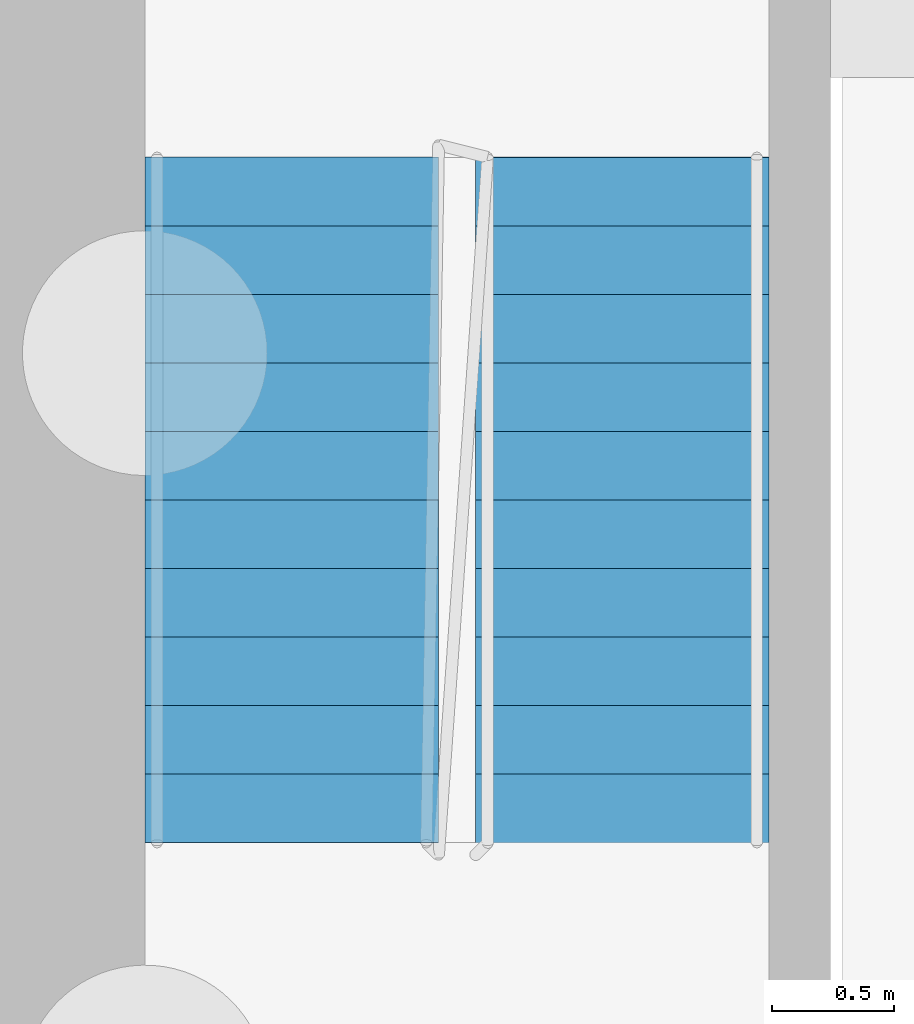
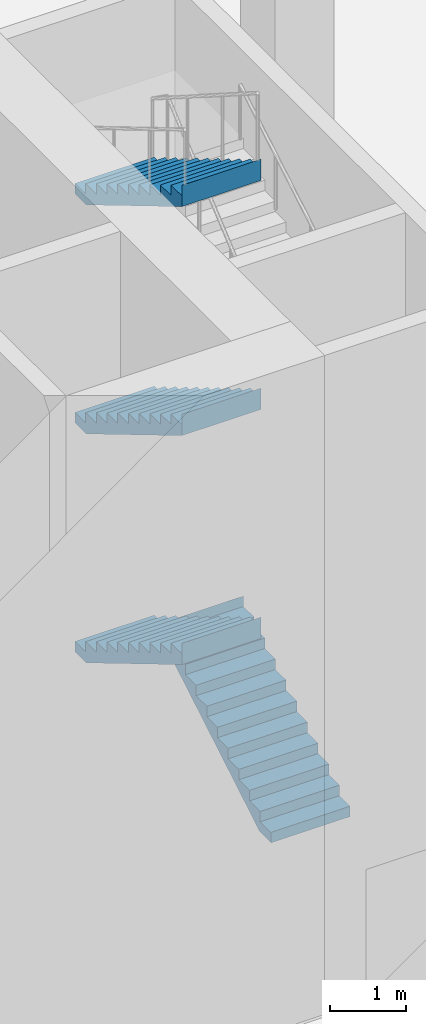
# One storey, part 16 of 26: 4 stair flights, 1 element without a shape of its own.
"""IFC4 building model written with IfcOpenShell, lengths in metres."""

from ifc_helpers import new_model, si_unit, direction, frame, origin, place, context, subcontext, project, spatial, faceted_brep, material, type_object, element, aggregate, save


model = new_model("IFC4")

# Units and contexts
model_context = context("Model", 3, precision=1e-05, world=origin(), true_north=direction((0.0, 1.0)))
body_context = subcontext(model_context, "Body", "Model", "MODEL_VIEW")
ifc_project = project(units=[si_unit("LENGTHUNIT", "METRE"), si_unit("AREAUNIT", "SQUARE_METRE"), si_unit("VOLUMEUNIT", "CUBIC_METRE"), si_unit("PLANEANGLEUNIT", "RADIAN"), si_unit("MASSUNIT", "GRAM", prefix="KILO")], contexts=[model_context])

# Site, building, storey
site_placement = place(None, origin())
site = spatial("IfcSite", under=ifc_project, at=site_placement, CompositionType="ELEMENT")
building_placement = place(site_placement, origin())
building = spatial("IfcBuilding", under=site, at=building_placement, Name="Kajstack Hotel Tower", CompositionType="ELEMENT")
storey_placement = place(building_placement, origin())
storey = spatial("IfcBuildingStorey", under=building, at=storey_placement, Name="L00", CompositionType="ELEMENT", Elevation=0.0)

# Stair, stair flights
ifc_material = material(Name="Concrete C40/50", Category="concrete")
stair_type = type_object("IfcStairType", Name="Exit stair 1200", PredefinedType="HALF_TURN_STAIR", material=ifc_material)
stair_placement = place(storey_placement, origin())
stair = element("IfcStair", 1, at=stair_placement, inside=storey, type_object=stair_type, Name="L00 stair E1", PredefinedType="HALF_TURN_STAIR")
stair_flight_type = type_object("IfcStairFlightType", Name="Exit stair flight 1200", PredefinedType="STRAIGHT", material=ifc_material)
stair_flight_1_placement = place(storey_placement, frame((33.449951171875, 5.25, 0.0), z_axis=(0.0, 0.0, 1.0), x_axis=(0.0, 1.0, 0.0)))
stair_flight_1 = element("IfcStairFlight", 2, at=stair_flight_1_placement, type_object=stair_flight_type, Name="E1 flight 1", NumberOfRisers=11, NumberOfTreads=10, PredefinedType="STRAIGHT", RiserHeight=0.166666667, TreadLength=0.28, context=body_context, shape_type="Brep", body=[
    faceted_brep([(0.29345703125, -0.60009765625, 0.0), (2.800537109375, -0.60009765625, 1.4921875), (2.800537109375, -0.60009765625, 1.833251953125), (2.800048828125, -0.60009765625, 1.833251953125), (2.800048828125, -0.60009765625, 1.666748046875), (2.52001953125, -0.60009765625, 1.666748046875), (2.52001953125, -0.60009765625, 1.5), (2.239990234375, -0.60009765625, 1.5), (2.239990234375, -0.60009765625, 1.333251953125), (1.9599609375, -0.60009765625, 1.333251953125), (1.9599609375, -0.60009765625, 1.166748046875), (1.679931640625, -0.60009765625, 1.166748046875), (1.679931640625, -0.60009765625, 1.0), (1.39990234375, -0.60009765625, 1.0), (1.39990234375, -0.60009765625, 0.833251953125), (1.1201171875, -0.60009765625, 0.833251953125), (1.1201171875, -0.60009765625, 0.666748046875), (0.840087890625, -0.60009765625, 0.666748046875), (0.840087890625, -0.60009765625, 0.5), (0.56005859375, -0.60009765625, 0.5), (0.56005859375, -0.60009765625, 0.333251953125), (0.280029296875, -0.60009765625, 0.333251953125), (0.280029296875, -0.60009765625, 0.166748046875), (-0.00048828125, -0.60009765625, 0.166748046875), (-0.00048828125, -0.60009765625, 0.0), (-0.00048828125, 0.60009765625, 0.0), (-0.00048828125, 0.60009765625, 0.166748046875), (0.280029296875, 0.60009765625, 0.166748046875), (0.280029296875, 0.60009765625, 0.333251953125), (0.56005859375, 0.60009765625, 0.333251953125), (0.56005859375, 0.60009765625, 0.5), (0.840087890625, 0.60009765625, 0.5), (0.840087890625, 0.60009765625, 0.666748046875), (1.1201171875, 0.60009765625, 0.666748046875), (1.1201171875, 0.60009765625, 0.833251953125), (1.39990234375, 0.60009765625, 0.833251953125), (1.39990234375, 0.60009765625, 1.0), (1.679931640625, 0.60009765625, 1.0), (1.679931640625, 0.60009765625, 1.166748046875), (1.9599609375, 0.60009765625, 1.166748046875), (1.9599609375, 0.60009765625, 1.333251953125), (2.239990234375, 0.60009765625, 1.333251953125), (2.239990234375, 0.60009765625, 1.5), (2.52001953125, 0.60009765625, 1.5), (2.52001953125, 0.60009765625, 1.666748046875), (2.800048828125, 0.60009765625, 1.666748046875), (2.800048828125, 0.60009765625, 1.833251953125), (2.800537109375, 0.60009765625, 1.833251953125), (2.800537109375, 0.60009765625, 1.4921875), (0.29345703125, 0.60009765625, 0.0), (-0.00048828125, -0.300048828125, 0.166748046875), (-0.00048828125, 0.0, 0.166748046875), (-0.00048828125, 0.300048828125, 0.166748046875), (-0.00048828125, 0.300048828125, 0.0), (-0.00048828125, 0.0, 0.0), (-0.00048828125, -0.300048828125, 0.0), (0.280029296875, -0.300048828125, 0.166748046875), (0.280029296875, 0.0, 0.166748046875), (0.280029296875, 0.300048828125, 0.166748046875), (0.280029296875, -0.300048828125, 0.333251953125), (0.280029296875, 0.0, 0.333251953125), (0.280029296875, 0.300048828125, 0.333251953125), (0.56005859375, -0.300048828125, 0.333251953125), (0.56005859375, 0.0, 0.333251953125), (0.56005859375, 0.300048828125, 0.333251953125), (0.56005859375, -0.300048828125, 0.5), (0.56005859375, 0.0, 0.5), (0.56005859375, 0.300048828125, 0.5), (0.840087890625, -0.300048828125, 0.5), (0.840087890625, 0.0, 0.5), (0.840087890625, 0.300048828125, 0.5), (0.840087890625, -0.300048828125, 0.666748046875), (0.840087890625, 0.0, 0.666748046875), (0.840087890625, 0.300048828125, 0.666748046875), (1.1201171875, -0.300048828125, 0.666748046875), (1.1201171875, 0.0, 0.666748046875), (1.1201171875, 0.300048828125, 0.666748046875), (1.1201171875, -0.300048828125, 0.833251953125), (1.1201171875, 0.0, 0.833251953125), (1.1201171875, 0.300048828125, 0.833251953125), (1.39990234375, -0.300048828125, 0.833251953125), (1.39990234375, 0.0, 0.833251953125), (1.39990234375, 0.300048828125, 0.833251953125), (1.39990234375, -0.300048828125, 1.0), (1.39990234375, 0.0, 1.0), (1.39990234375, 0.300048828125, 1.0), (1.679931640625, -0.300048828125, 1.0), (1.679931640625, 0.0, 1.0), (1.679931640625, 0.300048828125, 1.0), (1.679931640625, -0.300048828125, 1.166748046875), (1.679931640625, 0.0, 1.166748046875), (1.679931640625, 0.300048828125, 1.166748046875), (1.9599609375, -0.300048828125, 1.166748046875), (1.9599609375, 0.0, 1.166748046875), (1.9599609375, 0.300048828125, 1.166748046875), (1.9599609375, -0.300048828125, 1.333251953125), (1.9599609375, 0.0, 1.333251953125), (1.9599609375, 0.300048828125, 1.333251953125), (2.239990234375, -0.300048828125, 1.333251953125), (2.239990234375, 0.0, 1.333251953125), (2.239990234375, 0.300048828125, 1.333251953125), (2.239990234375, -0.300048828125, 1.5), (2.239990234375, 0.0, 1.5), (2.239990234375, 0.300048828125, 1.5), (2.52001953125, -0.300048828125, 1.5), (2.52001953125, 0.0, 1.5), (2.52001953125, 0.300048828125, 1.5), (2.52001953125, -0.300048828125, 1.666748046875), (2.52001953125, 0.0, 1.666748046875), (2.52001953125, 0.300048828125, 1.666748046875), (2.800048828125, -0.300048828125, 1.666748046875), (2.800048828125, 0.0, 1.666748046875), (2.800048828125, 0.300048828125, 1.666748046875), (2.800048828125, -0.300048828125, 1.833251953125), (2.800048828125, 0.0, 1.833251953125), (2.800048828125, 0.300048828125, 1.833251953125), (2.800537109375, -0.300048828125, 1.833251953125), (2.800537109375, 0.0, 1.833251953125), (2.800537109375, 0.300048828125, 1.833251953125), (2.800537109375, -0.300048828125, 1.4921875), (2.800537109375, 0.0, 1.4921875), (2.800537109375, 0.300048828125, 1.4921875), (0.29345703125, -0.300048828125, 0.0), (0.29345703125, 0.0, 0.0), (0.29345703125, 0.300048828125, 0.0)], [[[0, 1, 2, 3, 4, 5, 6, 7, 8, 9, 10, 11, 12, 13, 14, 15, 16, 17, 18, 19, 20, 21, 22, 23, 24]], [[25, 26, 27, 28, 29, 30, 31, 32, 33, 34, 35, 36, 37, 38, 39, 40, 41, 42, 43, 44, 45, 46, 47, 48, 49]], [[23, 50, 51, 52, 26, 25, 53, 54, 55, 24]], [[22, 56, 57, 58, 27, 26, 52, 51, 50, 23]], [[21, 59, 60, 61, 28, 27, 58, 57, 56, 22]], [[20, 62, 63, 64, 29, 28, 61, 60, 59, 21]], [[19, 65, 66, 67, 30, 29, 64, 63, 62, 20]], [[18, 68, 69, 70, 31, 30, 67, 66, 65, 19]], [[17, 71, 72, 73, 32, 31, 70, 69, 68, 18]], [[16, 74, 75, 76, 33, 32, 73, 72, 71, 17]], [[15, 77, 78, 79, 34, 33, 76, 75, 74, 16]], [[14, 80, 81, 82, 35, 34, 79, 78, 77, 15]], [[13, 83, 84, 85, 36, 35, 82, 81, 80, 14]], [[12, 86, 87, 88, 37, 36, 85, 84, 83, 13]], [[11, 89, 90, 91, 38, 37, 88, 87, 86, 12]], [[10, 92, 93, 94, 39, 38, 91, 90, 89, 11]], [[9, 95, 96, 97, 40, 39, 94, 93, 92, 10]], [[8, 98, 99, 100, 41, 40, 97, 96, 95, 9]], [[7, 101, 102, 103, 42, 41, 100, 99, 98, 8]], [[6, 104, 105, 106, 43, 42, 103, 102, 101, 7]], [[5, 107, 108, 109, 44, 43, 106, 105, 104, 6]], [[4, 110, 111, 112, 45, 44, 109, 108, 107, 5]], [[3, 113, 114, 115, 46, 45, 112, 111, 110, 4]], [[2, 116, 117, 118, 47, 46, 115, 114, 113, 3]], [[1, 119, 120, 121, 48, 47, 118, 117, 116, 2]], [[0, 122, 123, 124, 49, 48, 121, 120, 119, 1]], [[24, 55, 54, 53, 25, 49, 124, 123, 122, 0]]]),
])
stair_flight_2_placement = place(storey_placement, frame((32.10009765625, 8.050048828125, 1.833251953125), z_axis=(0.0, 0.0, 1.0), x_axis=(0.0, -1.0, 0.0)))
stair_flight_2 = element("IfcStairFlight", 3, at=stair_flight_2_placement, type_object=stair_flight_type, Name="E1 flight 2", NumberOfRisers=11, NumberOfTreads=10, PredefinedType="STRAIGHT", RiserHeight=0.166666667, TreadLength=0.28, context=body_context, shape_type="Brep", body=[
    faceted_brep([(0.29345703125, -0.60009765625, 0.0), (2.800537109375, -0.60009765625, 1.4921875), (2.800537109375, -0.60009765625, 1.833251953125), (2.800048828125, -0.60009765625, 1.833251953125), (2.800048828125, -0.60009765625, 1.666748046875), (2.52001953125, -0.60009765625, 1.666748046875), (2.52001953125, -0.60009765625, 1.5), (2.239990234375, -0.60009765625, 1.5), (2.239990234375, -0.60009765625, 1.333251953125), (1.9599609375, -0.60009765625, 1.333251953125), (1.9599609375, -0.60009765625, 1.166748046875), (1.679931640625, -0.60009765625, 1.166748046875), (1.679931640625, -0.60009765625, 1.0), (1.39990234375, -0.60009765625, 1.0), (1.39990234375, -0.60009765625, 0.833251953125), (1.1201171875, -0.60009765625, 0.833251953125), (1.1201171875, -0.60009765625, 0.666748046875), (0.840087890625, -0.60009765625, 0.666748046875), (0.840087890625, -0.60009765625, 0.5), (0.56005859375, -0.60009765625, 0.5), (0.56005859375, -0.60009765625, 0.333251953125), (0.280029296875, -0.60009765625, 0.333251953125), (0.280029296875, -0.60009765625, 0.166748046875), (-0.00048828125, -0.60009765625, 0.166748046875), (-0.00048828125, -0.60009765625, 0.0), (-0.00048828125, 0.60009765625, 0.0), (-0.00048828125, 0.60009765625, 0.166748046875), (0.280029296875, 0.60009765625, 0.166748046875), (0.280029296875, 0.60009765625, 0.333251953125), (0.56005859375, 0.60009765625, 0.333251953125), (0.56005859375, 0.60009765625, 0.5), (0.840087890625, 0.60009765625, 0.5), (0.840087890625, 0.60009765625, 0.666748046875), (1.1201171875, 0.60009765625, 0.666748046875), (1.1201171875, 0.60009765625, 0.833251953125), (1.39990234375, 0.60009765625, 0.833251953125), (1.39990234375, 0.60009765625, 1.0), (1.679931640625, 0.60009765625, 1.0), (1.679931640625, 0.60009765625, 1.166748046875), (1.9599609375, 0.60009765625, 1.166748046875), (1.9599609375, 0.60009765625, 1.333251953125), (2.239990234375, 0.60009765625, 1.333251953125), (2.239990234375, 0.60009765625, 1.5), (2.52001953125, 0.60009765625, 1.5), (2.52001953125, 0.60009765625, 1.666748046875), (2.800048828125, 0.60009765625, 1.666748046875), (2.800048828125, 0.60009765625, 1.833251953125), (2.800537109375, 0.60009765625, 1.833251953125), (2.800537109375, 0.60009765625, 1.4921875), (0.29345703125, 0.60009765625, 0.0), (-0.00048828125, -0.300048828125, 0.166748046875), (-0.00048828125, 0.0, 0.166748046875), (-0.00048828125, 0.300048828125, 0.166748046875), (-0.00048828125, 0.300048828125, 0.0), (-0.00048828125, 0.0, 0.0), (-0.00048828125, -0.300048828125, 0.0), (0.280029296875, -0.300048828125, 0.166748046875), (0.280029296875, 0.0, 0.166748046875), (0.280029296875, 0.300048828125, 0.166748046875), (0.280029296875, -0.300048828125, 0.333251953125), (0.280029296875, 0.0, 0.333251953125), (0.280029296875, 0.300048828125, 0.333251953125), (0.56005859375, -0.300048828125, 0.333251953125), (0.56005859375, 0.0, 0.333251953125), (0.56005859375, 0.300048828125, 0.333251953125), (0.56005859375, -0.300048828125, 0.5), (0.56005859375, 0.0, 0.5), (0.56005859375, 0.300048828125, 0.5), (0.840087890625, -0.300048828125, 0.5), (0.840087890625, 0.0, 0.5), (0.840087890625, 0.300048828125, 0.5), (0.840087890625, -0.300048828125, 0.666748046875), (0.840087890625, 0.0, 0.666748046875), (0.840087890625, 0.300048828125, 0.666748046875), (1.1201171875, -0.300048828125, 0.666748046875), (1.1201171875, 0.0, 0.666748046875), (1.1201171875, 0.300048828125, 0.666748046875), (1.1201171875, -0.300048828125, 0.833251953125), (1.1201171875, 0.0, 0.833251953125), (1.1201171875, 0.300048828125, 0.833251953125), (1.39990234375, -0.300048828125, 0.833251953125), (1.39990234375, 0.0, 0.833251953125), (1.39990234375, 0.300048828125, 0.833251953125), (1.39990234375, -0.300048828125, 1.0), (1.39990234375, 0.0, 1.0), (1.39990234375, 0.300048828125, 1.0), (1.679931640625, -0.300048828125, 1.0), (1.679931640625, 0.0, 1.0), (1.679931640625, 0.300048828125, 1.0), (1.679931640625, -0.300048828125, 1.166748046875), (1.679931640625, 0.0, 1.166748046875), (1.679931640625, 0.300048828125, 1.166748046875), (1.9599609375, -0.300048828125, 1.166748046875), (1.9599609375, 0.0, 1.166748046875), (1.9599609375, 0.300048828125, 1.166748046875), (1.9599609375, -0.300048828125, 1.333251953125), (1.9599609375, 0.0, 1.333251953125), (1.9599609375, 0.300048828125, 1.333251953125), (2.239990234375, -0.300048828125, 1.333251953125), (2.239990234375, 0.0, 1.333251953125), (2.239990234375, 0.300048828125, 1.333251953125), (2.239990234375, -0.300048828125, 1.5), (2.239990234375, 0.0, 1.5), (2.239990234375, 0.300048828125, 1.5), (2.52001953125, -0.300048828125, 1.5), (2.52001953125, 0.0, 1.5), (2.52001953125, 0.300048828125, 1.5), (2.52001953125, -0.300048828125, 1.666748046875), (2.52001953125, 0.0, 1.666748046875), (2.52001953125, 0.300048828125, 1.666748046875), (2.800048828125, -0.300048828125, 1.666748046875), (2.800048828125, 0.0, 1.666748046875), (2.800048828125, 0.300048828125, 1.666748046875), (2.800048828125, -0.300048828125, 1.833251953125), (2.800048828125, 0.0, 1.833251953125), (2.800048828125, 0.300048828125, 1.833251953125), (2.800537109375, -0.300048828125, 1.833251953125), (2.800537109375, 0.0, 1.833251953125), (2.800537109375, 0.300048828125, 1.833251953125), (2.800537109375, -0.300048828125, 1.4921875), (2.800537109375, 0.0, 1.4921875), (2.800537109375, 0.300048828125, 1.4921875), (0.29345703125, -0.300048828125, 0.0), (0.29345703125, 0.0, 0.0), (0.29345703125, 0.300048828125, 0.0)], [[[0, 1, 2, 3, 4, 5, 6, 7, 8, 9, 10, 11, 12, 13, 14, 15, 16, 17, 18, 19, 20, 21, 22, 23, 24]], [[25, 26, 27, 28, 29, 30, 31, 32, 33, 34, 35, 36, 37, 38, 39, 40, 41, 42, 43, 44, 45, 46, 47, 48, 49]], [[23, 50, 51, 52, 26, 25, 53, 54, 55, 24]], [[22, 56, 57, 58, 27, 26, 52, 51, 50, 23]], [[21, 59, 60, 61, 28, 27, 58, 57, 56, 22]], [[20, 62, 63, 64, 29, 28, 61, 60, 59, 21]], [[19, 65, 66, 67, 30, 29, 64, 63, 62, 20]], [[18, 68, 69, 70, 31, 30, 67, 66, 65, 19]], [[17, 71, 72, 73, 32, 31, 70, 69, 68, 18]], [[16, 74, 75, 76, 33, 32, 73, 72, 71, 17]], [[15, 77, 78, 79, 34, 33, 76, 75, 74, 16]], [[14, 80, 81, 82, 35, 34, 79, 78, 77, 15]], [[13, 83, 84, 85, 36, 35, 82, 81, 80, 14]], [[12, 86, 87, 88, 37, 36, 85, 84, 83, 13]], [[11, 89, 90, 91, 38, 37, 88, 87, 86, 12]], [[10, 92, 93, 94, 39, 38, 91, 90, 89, 11]], [[9, 95, 96, 97, 40, 39, 94, 93, 92, 10]], [[8, 98, 99, 100, 41, 40, 97, 96, 95, 9]], [[7, 101, 102, 103, 42, 41, 100, 99, 98, 8]], [[6, 104, 105, 106, 43, 42, 103, 102, 101, 7]], [[5, 107, 108, 109, 44, 43, 106, 105, 104, 6]], [[4, 110, 111, 112, 45, 44, 109, 108, 107, 5]], [[3, 113, 114, 115, 46, 45, 112, 111, 110, 4]], [[2, 116, 117, 118, 47, 46, 115, 114, 113, 3]], [[1, 119, 120, 121, 48, 47, 118, 117, 116, 2]], [[0, 122, 123, 124, 49, 48, 121, 120, 119, 1]], [[24, 55, 54, 53, 25, 49, 124, 123, 122, 0]]]),
])
stair_flight_3_placement = place(storey_placement, frame((32.10009765625, 8.050048828125, 5.5), z_axis=(0.0, 0.0, 1.0), x_axis=(0.0, -1.0, 0.0)))
stair_flight_3 = element("IfcStairFlight", 4, at=stair_flight_3_placement, type_object=stair_flight_type, Name="E1 flight 4", NumberOfRisers=11, NumberOfTreads=10, PredefinedType="STRAIGHT", RiserHeight=0.166666667, TreadLength=0.28, context=body_context, shape_type="Brep", body=[
    faceted_brep([(0.29345703125, -0.60009765625, 0.0), (2.800537109375, -0.60009765625, 1.4921875), (2.800537109375, -0.60009765625, 1.833251953125), (2.800048828125, -0.60009765625, 1.833251953125), (2.800048828125, -0.60009765625, 1.666748046875), (2.52001953125, -0.60009765625, 1.666748046875), (2.52001953125, -0.60009765625, 1.5), (2.239990234375, -0.60009765625, 1.5), (2.239990234375, -0.60009765625, 1.333251953125), (1.9599609375, -0.60009765625, 1.333251953125), (1.9599609375, -0.60009765625, 1.166748046875), (1.679931640625, -0.60009765625, 1.166748046875), (1.679931640625, -0.60009765625, 1.0), (1.39990234375, -0.60009765625, 1.0), (1.39990234375, -0.60009765625, 0.833251953125), (1.1201171875, -0.60009765625, 0.833251953125), (1.1201171875, -0.60009765625, 0.666748046875), (0.840087890625, -0.60009765625, 0.666748046875), (0.840087890625, -0.60009765625, 0.5), (0.56005859375, -0.60009765625, 0.5), (0.56005859375, -0.60009765625, 0.333251953125), (0.280029296875, -0.60009765625, 0.333251953125), (0.280029296875, -0.60009765625, 0.166748046875), (-0.00048828125, -0.60009765625, 0.166748046875), (-0.00048828125, -0.60009765625, 0.0), (-0.00048828125, 0.60009765625, 0.0), (-0.00048828125, 0.60009765625, 0.166748046875), (0.280029296875, 0.60009765625, 0.166748046875), (0.280029296875, 0.60009765625, 0.333251953125), (0.56005859375, 0.60009765625, 0.333251953125), (0.56005859375, 0.60009765625, 0.5), (0.840087890625, 0.60009765625, 0.5), (0.840087890625, 0.60009765625, 0.666748046875), (1.1201171875, 0.60009765625, 0.666748046875), (1.1201171875, 0.60009765625, 0.833251953125), (1.39990234375, 0.60009765625, 0.833251953125), (1.39990234375, 0.60009765625, 1.0), (1.679931640625, 0.60009765625, 1.0), (1.679931640625, 0.60009765625, 1.166748046875), (1.9599609375, 0.60009765625, 1.166748046875), (1.9599609375, 0.60009765625, 1.333251953125), (2.239990234375, 0.60009765625, 1.333251953125), (2.239990234375, 0.60009765625, 1.5), (2.52001953125, 0.60009765625, 1.5), (2.52001953125, 0.60009765625, 1.666748046875), (2.800048828125, 0.60009765625, 1.666748046875), (2.800048828125, 0.60009765625, 1.833251953125), (2.800537109375, 0.60009765625, 1.833251953125), (2.800537109375, 0.60009765625, 1.4921875), (0.29345703125, 0.60009765625, 0.0), (-0.00048828125, -0.300048828125, 0.166748046875), (-0.00048828125, 0.0, 0.166748046875), (-0.00048828125, 0.300048828125, 0.166748046875), (-0.00048828125, 0.300048828125, 0.0), (-0.00048828125, 0.0, 0.0), (-0.00048828125, -0.300048828125, 0.0), (0.280029296875, -0.300048828125, 0.166748046875), (0.280029296875, 0.0, 0.166748046875), (0.280029296875, 0.300048828125, 0.166748046875), (0.280029296875, -0.300048828125, 0.333251953125), (0.280029296875, 0.0, 0.333251953125), (0.280029296875, 0.300048828125, 0.333251953125), (0.56005859375, -0.300048828125, 0.333251953125), (0.56005859375, 0.0, 0.333251953125), (0.56005859375, 0.300048828125, 0.333251953125), (0.56005859375, -0.300048828125, 0.5), (0.56005859375, 0.0, 0.5), (0.56005859375, 0.300048828125, 0.5), (0.840087890625, -0.300048828125, 0.5), (0.840087890625, 0.0, 0.5), (0.840087890625, 0.300048828125, 0.5), (0.840087890625, -0.300048828125, 0.666748046875), (0.840087890625, 0.0, 0.666748046875), (0.840087890625, 0.300048828125, 0.666748046875), (1.1201171875, -0.300048828125, 0.666748046875), (1.1201171875, 0.0, 0.666748046875), (1.1201171875, 0.300048828125, 0.666748046875), (1.1201171875, -0.300048828125, 0.833251953125), (1.1201171875, 0.0, 0.833251953125), (1.1201171875, 0.300048828125, 0.833251953125), (1.39990234375, -0.300048828125, 0.833251953125), (1.39990234375, 0.0, 0.833251953125), (1.39990234375, 0.300048828125, 0.833251953125), (1.39990234375, -0.300048828125, 1.0), (1.39990234375, 0.0, 1.0), (1.39990234375, 0.300048828125, 1.0), (1.679931640625, -0.300048828125, 1.0), (1.679931640625, 0.0, 1.0), (1.679931640625, 0.300048828125, 1.0), (1.679931640625, -0.300048828125, 1.166748046875), (1.679931640625, 0.0, 1.166748046875), (1.679931640625, 0.300048828125, 1.166748046875), (1.9599609375, -0.300048828125, 1.166748046875), (1.9599609375, 0.0, 1.166748046875), (1.9599609375, 0.300048828125, 1.166748046875), (1.9599609375, -0.300048828125, 1.333251953125), (1.9599609375, 0.0, 1.333251953125), (1.9599609375, 0.300048828125, 1.333251953125), (2.239990234375, -0.300048828125, 1.333251953125), (2.239990234375, 0.0, 1.333251953125), (2.239990234375, 0.300048828125, 1.333251953125), (2.239990234375, -0.300048828125, 1.5), (2.239990234375, 0.0, 1.5), (2.239990234375, 0.300048828125, 1.5), (2.52001953125, -0.300048828125, 1.5), (2.52001953125, 0.0, 1.5), (2.52001953125, 0.300048828125, 1.5), (2.52001953125, -0.300048828125, 1.666748046875), (2.52001953125, 0.0, 1.666748046875), (2.52001953125, 0.300048828125, 1.666748046875), (2.800048828125, -0.300048828125, 1.666748046875), (2.800048828125, 0.0, 1.666748046875), (2.800048828125, 0.300048828125, 1.666748046875), (2.800048828125, -0.300048828125, 1.833251953125), (2.800048828125, 0.0, 1.833251953125), (2.800048828125, 0.300048828125, 1.833251953125), (2.800537109375, -0.300048828125, 1.833251953125), (2.800537109375, 0.0, 1.833251953125), (2.800537109375, 0.300048828125, 1.833251953125), (2.800537109375, -0.300048828125, 1.4921875), (2.800537109375, 0.0, 1.4921875), (2.800537109375, 0.300048828125, 1.4921875), (0.29345703125, -0.300048828125, 0.0), (0.29345703125, 0.0, 0.0), (0.29345703125, 0.300048828125, 0.0)], [[[0, 1, 2, 3, 4, 5, 6, 7, 8, 9, 10, 11, 12, 13, 14, 15, 16, 17, 18, 19, 20, 21, 22, 23, 24]], [[25, 26, 27, 28, 29, 30, 31, 32, 33, 34, 35, 36, 37, 38, 39, 40, 41, 42, 43, 44, 45, 46, 47, 48, 49]], [[23, 50, 51, 52, 26, 25, 53, 54, 55, 24]], [[22, 56, 57, 58, 27, 26, 52, 51, 50, 23]], [[21, 59, 60, 61, 28, 27, 58, 57, 56, 22]], [[20, 62, 63, 64, 29, 28, 61, 60, 59, 21]], [[19, 65, 66, 67, 30, 29, 64, 63, 62, 20]], [[18, 68, 69, 70, 31, 30, 67, 66, 65, 19]], [[17, 71, 72, 73, 32, 31, 70, 69, 68, 18]], [[16, 74, 75, 76, 33, 32, 73, 72, 71, 17]], [[15, 77, 78, 79, 34, 33, 76, 75, 74, 16]], [[14, 80, 81, 82, 35, 34, 79, 78, 77, 15]], [[13, 83, 84, 85, 36, 35, 82, 81, 80, 14]], [[12, 86, 87, 88, 37, 36, 85, 84, 83, 13]], [[11, 89, 90, 91, 38, 37, 88, 87, 86, 12]], [[10, 92, 93, 94, 39, 38, 91, 90, 89, 11]], [[9, 95, 96, 97, 40, 39, 94, 93, 92, 10]], [[8, 98, 99, 100, 41, 40, 97, 96, 95, 9]], [[7, 101, 102, 103, 42, 41, 100, 99, 98, 8]], [[6, 104, 105, 106, 43, 42, 103, 102, 101, 7]], [[5, 107, 108, 109, 44, 43, 106, 105, 104, 6]], [[4, 110, 111, 112, 45, 44, 109, 108, 107, 5]], [[3, 113, 114, 115, 46, 45, 112, 111, 110, 4]], [[2, 116, 117, 118, 47, 46, 115, 114, 113, 3]], [[1, 119, 120, 121, 48, 47, 118, 117, 116, 2]], [[0, 122, 123, 124, 49, 48, 121, 120, 119, 1]], [[24, 55, 54, 53, 25, 49, 124, 123, 122, 0]]]),
])
stair_flight_4_placement = place(storey_placement, frame((32.10009765625, 8.050048828125, 9.166748046875), z_axis=(0.0, 0.0, 1.0), x_axis=(0.0, -1.0, 0.0)))
stair_flight_4 = element("IfcStairFlight", 5, at=stair_flight_4_placement, type_object=stair_flight_type, Name="E1 flight 6", NumberOfRisers=11, NumberOfTreads=10, PredefinedType="STRAIGHT", RiserHeight=0.166666667, TreadLength=0.28, context=body_context, shape_type="Brep", body=[
    faceted_brep([(0.29345703125, -0.60009765625, 0.0), (2.800537109375, -0.60009765625, 1.4921875), (2.800537109375, -0.60009765625, 1.833251953125), (2.800048828125, -0.60009765625, 1.833251953125), (2.800048828125, -0.60009765625, 1.666748046875), (2.52001953125, -0.60009765625, 1.666748046875), (2.52001953125, -0.60009765625, 1.5), (2.239990234375, -0.60009765625, 1.5), (2.239990234375, -0.60009765625, 1.333251953125), (1.9599609375, -0.60009765625, 1.333251953125), (1.9599609375, -0.60009765625, 1.166748046875), (1.679931640625, -0.60009765625, 1.166748046875), (1.679931640625, -0.60009765625, 1.0), (1.39990234375, -0.60009765625, 1.0), (1.39990234375, -0.60009765625, 0.833251953125), (1.1201171875, -0.60009765625, 0.833251953125), (1.1201171875, -0.60009765625, 0.666748046875), (0.840087890625, -0.60009765625, 0.666748046875), (0.840087890625, -0.60009765625, 0.5), (0.56005859375, -0.60009765625, 0.5), (0.56005859375, -0.60009765625, 0.333251953125), (0.280029296875, -0.60009765625, 0.333251953125), (0.280029296875, -0.60009765625, 0.166748046875), (-0.00048828125, -0.60009765625, 0.166748046875), (-0.00048828125, -0.60009765625, 0.0), (-0.00048828125, 0.60009765625, 0.0), (-0.00048828125, 0.60009765625, 0.166748046875), (0.280029296875, 0.60009765625, 0.166748046875), (0.280029296875, 0.60009765625, 0.333251953125), (0.56005859375, 0.60009765625, 0.333251953125), (0.56005859375, 0.60009765625, 0.5), (0.840087890625, 0.60009765625, 0.5), (0.840087890625, 0.60009765625, 0.666748046875), (1.1201171875, 0.60009765625, 0.666748046875), (1.1201171875, 0.60009765625, 0.833251953125), (1.39990234375, 0.60009765625, 0.833251953125), (1.39990234375, 0.60009765625, 1.0), (1.679931640625, 0.60009765625, 1.0), (1.679931640625, 0.60009765625, 1.166748046875), (1.9599609375, 0.60009765625, 1.166748046875), (1.9599609375, 0.60009765625, 1.333251953125), (2.239990234375, 0.60009765625, 1.333251953125), (2.239990234375, 0.60009765625, 1.5), (2.52001953125, 0.60009765625, 1.5), (2.52001953125, 0.60009765625, 1.666748046875), (2.800048828125, 0.60009765625, 1.666748046875), (2.800048828125, 0.60009765625, 1.833251953125), (2.800537109375, 0.60009765625, 1.833251953125), (2.800537109375, 0.60009765625, 1.4921875), (0.29345703125, 0.60009765625, 0.0), (-0.00048828125, -0.300048828125, 0.166748046875), (-0.00048828125, 0.0, 0.166748046875), (-0.00048828125, 0.300048828125, 0.166748046875), (-0.00048828125, 0.300048828125, 0.0), (-0.00048828125, 0.0, 0.0), (-0.00048828125, -0.300048828125, 0.0), (0.280029296875, -0.300048828125, 0.166748046875), (0.280029296875, 0.0, 0.166748046875), (0.280029296875, 0.300048828125, 0.166748046875), (0.280029296875, -0.300048828125, 0.333251953125), (0.280029296875, 0.0, 0.333251953125), (0.280029296875, 0.300048828125, 0.333251953125), (0.56005859375, -0.300048828125, 0.333251953125), (0.56005859375, 0.0, 0.333251953125), (0.56005859375, 0.300048828125, 0.333251953125), (0.56005859375, -0.300048828125, 0.5), (0.56005859375, 0.0, 0.5), (0.56005859375, 0.300048828125, 0.5), (0.840087890625, -0.300048828125, 0.5), (0.840087890625, 0.0, 0.5), (0.840087890625, 0.300048828125, 0.5), (0.840087890625, -0.300048828125, 0.666748046875), (0.840087890625, 0.0, 0.666748046875), (0.840087890625, 0.300048828125, 0.666748046875), (1.1201171875, -0.300048828125, 0.666748046875), (1.1201171875, 0.0, 0.666748046875), (1.1201171875, 0.300048828125, 0.666748046875), (1.1201171875, -0.300048828125, 0.833251953125), (1.1201171875, 0.0, 0.833251953125), (1.1201171875, 0.300048828125, 0.833251953125), (1.39990234375, -0.300048828125, 0.833251953125), (1.39990234375, 0.0, 0.833251953125), (1.39990234375, 0.300048828125, 0.833251953125), (1.39990234375, -0.300048828125, 1.0), (1.39990234375, 0.0, 1.0), (1.39990234375, 0.300048828125, 1.0), (1.679931640625, -0.300048828125, 1.0), (1.679931640625, 0.0, 1.0), (1.679931640625, 0.300048828125, 1.0), (1.679931640625, -0.300048828125, 1.166748046875), (1.679931640625, 0.0, 1.166748046875), (1.679931640625, 0.300048828125, 1.166748046875), (1.9599609375, -0.300048828125, 1.166748046875), (1.9599609375, 0.0, 1.166748046875), (1.9599609375, 0.300048828125, 1.166748046875), (1.9599609375, -0.300048828125, 1.333251953125), (1.9599609375, 0.0, 1.333251953125), (1.9599609375, 0.300048828125, 1.333251953125), (2.239990234375, -0.300048828125, 1.333251953125), (2.239990234375, 0.0, 1.333251953125), (2.239990234375, 0.300048828125, 1.333251953125), (2.239990234375, -0.300048828125, 1.5), (2.239990234375, 0.0, 1.5), (2.239990234375, 0.300048828125, 1.5), (2.52001953125, -0.300048828125, 1.5), (2.52001953125, 0.0, 1.5), (2.52001953125, 0.300048828125, 1.5), (2.52001953125, -0.300048828125, 1.666748046875), (2.52001953125, 0.0, 1.666748046875), (2.52001953125, 0.300048828125, 1.666748046875), (2.800048828125, -0.300048828125, 1.666748046875), (2.800048828125, 0.0, 1.666748046875), (2.800048828125, 0.300048828125, 1.666748046875), (2.800048828125, -0.300048828125, 1.833251953125), (2.800048828125, 0.0, 1.833251953125), (2.800048828125, 0.300048828125, 1.833251953125), (2.800537109375, -0.300048828125, 1.833251953125), (2.800537109375, 0.0, 1.833251953125), (2.800537109375, 0.300048828125, 1.833251953125), (2.800537109375, -0.300048828125, 1.4921875), (2.800537109375, 0.0, 1.4921875), (2.800537109375, 0.300048828125, 1.4921875), (0.29345703125, -0.300048828125, 0.0), (0.29345703125, 0.0, 0.0), (0.29345703125, 0.300048828125, 0.0)], [[[0, 1, 2, 3, 4, 5, 6, 7, 8, 9, 10, 11, 12, 13, 14, 15, 16, 17, 18, 19, 20, 21, 22, 23, 24]], [[25, 26, 27, 28, 29, 30, 31, 32, 33, 34, 35, 36, 37, 38, 39, 40, 41, 42, 43, 44, 45, 46, 47, 48, 49]], [[23, 50, 51, 52, 26, 25, 53, 54, 55, 24]], [[22, 56, 57, 58, 27, 26, 52, 51, 50, 23]], [[21, 59, 60, 61, 28, 27, 58, 57, 56, 22]], [[20, 62, 63, 64, 29, 28, 61, 60, 59, 21]], [[19, 65, 66, 67, 30, 29, 64, 63, 62, 20]], [[18, 68, 69, 70, 31, 30, 67, 66, 65, 19]], [[17, 71, 72, 73, 32, 31, 70, 69, 68, 18]], [[16, 74, 75, 76, 33, 32, 73, 72, 71, 17]], [[15, 77, 78, 79, 34, 33, 76, 75, 74, 16]], [[14, 80, 81, 82, 35, 34, 79, 78, 77, 15]], [[13, 83, 84, 85, 36, 35, 82, 81, 80, 14]], [[12, 86, 87, 88, 37, 36, 85, 84, 83, 13]], [[11, 89, 90, 91, 38, 37, 88, 87, 86, 12]], [[10, 92, 93, 94, 39, 38, 91, 90, 89, 11]], [[9, 95, 96, 97, 40, 39, 94, 93, 92, 10]], [[8, 98, 99, 100, 41, 40, 97, 96, 95, 9]], [[7, 101, 102, 103, 42, 41, 100, 99, 98, 8]], [[6, 104, 105, 106, 43, 42, 103, 102, 101, 7]], [[5, 107, 108, 109, 44, 43, 106, 105, 104, 6]], [[4, 110, 111, 112, 45, 44, 109, 108, 107, 5]], [[3, 113, 114, 115, 46, 45, 112, 111, 110, 4]], [[2, 116, 117, 118, 47, 46, 115, 114, 113, 3]], [[1, 119, 120, 121, 48, 47, 118, 117, 116, 2]], [[0, 122, 123, 124, 49, 48, 121, 120, 119, 1]], [[24, 55, 54, 53, 25, 49, 124, 123, 122, 0]]]),
])
aggregate(stair, [stair_flight_1, stair_flight_2, stair_flight_3, stair_flight_4])

save(model, "model.ifc")
